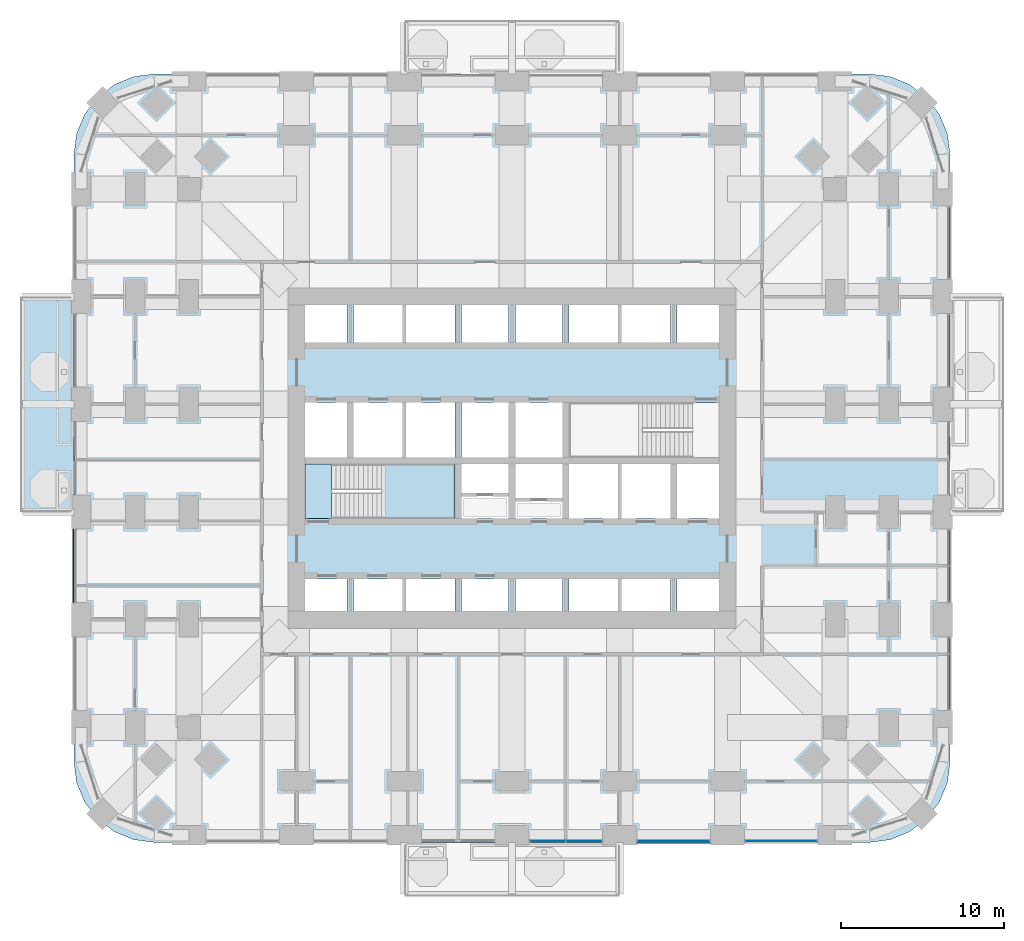
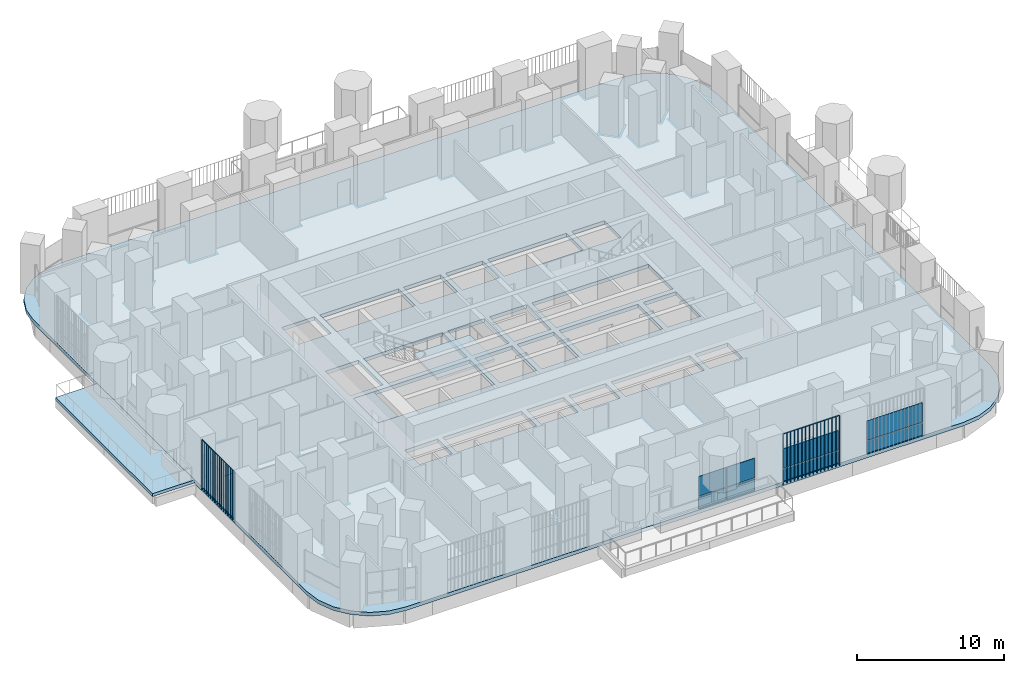
# One storey, part 12 of 26: 10 plates, 4 slabs, 4 elements without a shape of their own.
"""IFC4 building model written with IfcOpenShell, lengths in metres."""

from ifc_helpers import new_model, si_unit, direction, frame, origin, origin_2d, place, context, subcontext, project, spatial, polyline, rectangle, outline, extrude, material, layer, layer_set, type_object, element, aggregate, save


model = new_model("IFC4")

# Units and contexts
model_context = context("Model", 3, precision=1e-05, world=origin(), true_north=direction((0.0, 1.0)))
body_context = subcontext(model_context, "Body", "Model", "MODEL_VIEW")
ifc_project = project(units=[si_unit("LENGTHUNIT", "METRE"), si_unit("AREAUNIT", "SQUARE_METRE"), si_unit("VOLUMEUNIT", "CUBIC_METRE"), si_unit("PLANEANGLEUNIT", "RADIAN"), si_unit("MASSUNIT", "GRAM", prefix="KILO")], contexts=[model_context])

# Site, building, storey
site_placement = place(None, origin())
site = spatial("IfcSite", under=ifc_project, at=site_placement, CompositionType="ELEMENT")
building_placement = place(site_placement, origin())
building = spatial("IfcBuilding", under=site, at=building_placement, Name="Cobogo Forest Laboratory Tower", CompositionType="ELEMENT")
storey_placement = place(building_placement, frame((0.0, 0.0, 59.10009765625)))
storey = spatial("IfcBuildingStorey", under=building, at=storey_placement, Name="L13", CompositionType="ELEMENT", Elevation=59.10009765625)

# Slabs
ifc_material_1 = material(Name="Concrete HA-40 (C40/50)", Category="concrete")
ifc_layer_1 = layer(ifc_material_1, 0.25)
ifc_layer_set_1 = layer_set([ifc_layer_1], Name="Balcony slab 250")
slab_type_1 = type_object("IfcSlabType", Name="Balcony slab 250", PredefinedType="FLOOR", material=ifc_layer_set_1)
slab_1_placement = place(storey_placement, frame((0.0, 0.0, -0.25)))
element("IfcSlab", 1, at=slab_1_placement, inside=storey, type_object=slab_type_1, Name="Balcony BAL-W1 L13", PredefinedType="FLOOR", context=body_context, shape_type="SweptSolid", body=[
    extrude(outline(polyline([(-3.75, 19.800048828125), (-0.449951171875, 19.800048828125), (-0.449951171875, 33.0), (-3.75, 33.0), (-3.75, 19.800048828125)])), origin(), (0.0, 0.0, 1.0), 0.25),
])
ifc_layer_2 = layer(ifc_material_1, 0.300048828125)
ifc_layer_set_2 = layer_set([ifc_layer_2], Name="Floor slab 300")
slab_type_2 = type_object("IfcSlabType", Name="Floor slab 300", PredefinedType="FLOOR", material=ifc_layer_set_2)
slab_2_placement = place(storey_placement, frame((0.0, 0.0, -0.300048828125)))
element("IfcSlab", 2, at=slab_2_placement, inside=storey, type_object=slab_type_2, Name="L13 floor slab", PredefinedType="FLOOR", context=body_context, shape_type="SweptSolid", body=[
    extrude(outline(polyline([(48.300048828125, -0.449951171875), (49.5810546875, -0.28125), (50.77490234375, 0.213134765625), (51.80029296875, 0.999755859375), (52.5869140625, 2.02490234375), (53.081298828125, 3.21875), (53.25, 4.5), (53.25, 41.699951171875), (53.081298828125, 42.981201171875), (52.5869140625, 44.175048828125), (51.80029296875, 45.2001953125), (50.77490234375, 45.98681640625), (49.5810546875, 46.4814453125), (48.300048828125, 46.64990234375), (4.5, 46.64990234375), (3.21875, 46.4814453125), (2.02490234375, 45.98681640625), (0.999755859375, 45.2001953125), (0.213134765625, 44.175048828125), (-0.28125, 42.981201171875), (-0.449951171875, 41.699951171875), (-0.449951171875, 4.5), (-0.28125, 3.21875), (0.213134765625, 2.02490234375), (0.999755859375, 0.999755859375), (2.02490234375, 0.213134765625), (3.21875, -0.28125), (4.5, -0.449951171875), (48.300048828125, -0.449951171875)]), holes=[polyline([(16.300048828125, 13.72509765625), (13.72509765625, 13.72509765625), (13.72509765625, 15.699951171875), (16.300048828125, 15.699951171875), (16.300048828125, 13.72509765625)]), polyline([(22.89990234375, 15.699951171875), (22.89990234375, 13.72509765625), (16.699951171875, 13.72509765625), (16.699951171875, 15.699951171875), (22.89990234375, 15.699951171875)]), polyline([(23.300048828125, 13.72509765625), (23.300048828125, 15.699951171875), (26.199951171875, 15.699951171875), (26.199951171875, 13.72509765625), (23.300048828125, 13.72509765625)]), polyline([(29.5, 13.72509765625), (26.60009765625, 13.72509765625), (26.60009765625, 15.699951171875), (29.5, 15.699951171875), (29.5, 13.72509765625)]), polyline([(36.10009765625, 15.699951171875), (36.10009765625, 13.72509765625), (29.89990234375, 13.72509765625), (29.89990234375, 15.699951171875), (36.10009765625, 15.699951171875)]), polyline([(36.5, 13.72509765625), (36.5, 15.699951171875), (39.074951171875, 15.699951171875), (39.074951171875, 13.72509765625), (36.5, 13.72509765625)]), polyline([(13.72509765625, 19.39990234375), (13.72509765625, 22.75), (22.89990234375, 22.75), (22.89990234375, 19.39990234375), (13.72509765625, 19.39990234375)]), polyline([(23.300048828125, 19.39990234375), (23.300048828125, 22.75), (26.199951171875, 22.75), (26.199951171875, 19.39990234375), (23.300048828125, 19.39990234375)]), polyline([(26.60009765625, 19.39990234375), (26.60009765625, 22.75), (29.5, 22.75), (29.5, 19.39990234375), (26.60009765625, 19.39990234375)]), polyline([(36.10009765625, 22.75), (36.10009765625, 19.39990234375), (29.89990234375, 19.39990234375), (29.89990234375, 22.75), (36.10009765625, 22.75)]), polyline([(39.074951171875, 19.39990234375), (36.5, 19.39990234375), (36.5, 22.75), (39.074951171875, 22.75), (39.074951171875, 19.39990234375)]), polyline([(13.72509765625, 23.14990234375), (13.72509765625, 26.5), (16.300048828125, 26.5), (16.300048828125, 23.14990234375), (13.72509765625, 23.14990234375)]), polyline([(22.89990234375, 26.5), (22.89990234375, 23.14990234375), (16.699951171875, 23.14990234375), (16.699951171875, 26.5), (22.89990234375, 26.5)]), polyline([(23.300048828125, 23.14990234375), (23.300048828125, 26.5), (26.199951171875, 26.5), (26.199951171875, 23.14990234375), (23.300048828125, 23.14990234375)]), polyline([(26.60009765625, 23.14990234375), (26.60009765625, 26.5), (29.5, 26.5), (29.5, 23.14990234375), (26.60009765625, 23.14990234375)]), polyline([(29.89990234375, 23.14990234375), (29.89990234375, 26.5), (39.074951171875, 26.5), (39.074951171875, 23.14990234375), (29.89990234375, 23.14990234375)]), polyline([(13.72509765625, 30.199951171875), (13.72509765625, 32.47509765625), (16.300048828125, 32.47509765625), (16.300048828125, 30.199951171875), (13.72509765625, 30.199951171875)]), polyline([(22.89990234375, 32.47509765625), (22.89990234375, 30.199951171875), (16.699951171875, 30.199951171875), (16.699951171875, 32.47509765625), (22.89990234375, 32.47509765625)]), polyline([(23.300048828125, 30.199951171875), (23.300048828125, 32.47509765625), (26.199951171875, 32.47509765625), (26.199951171875, 30.199951171875), (23.300048828125, 30.199951171875)]), polyline([(26.60009765625, 30.199951171875), (26.60009765625, 32.47509765625), (29.5, 32.47509765625), (29.5, 30.199951171875), (26.60009765625, 30.199951171875)]), polyline([(36.10009765625, 32.47509765625), (36.10009765625, 30.199951171875), (29.89990234375, 30.199951171875), (29.89990234375, 32.47509765625), (36.10009765625, 32.47509765625)]), polyline([(36.5, 30.199951171875), (36.5, 32.47509765625), (39.074951171875, 32.47509765625), (39.074951171875, 30.199951171875), (36.5, 30.199951171875)])]), origin(), (0.0, 0.0, 1.0), 0.300048828125),
])

# Curtain wall, plates
ifc_material_2 = material(Name="Aluminium curtain wall", Category="aluminium")
curtain_wall_type = type_object("IfcCurtainWallType", Name="CW-1 unitised curtain wall, clear glazing, laboratory floors zones A and B", PredefinedType="USERDEFINED", material=ifc_material_2)
curtain_wall_1_placement = place(storey_placement, origin())
curtain_wall_1 = element("IfcCurtainWall", 3, at=curtain_wall_1_placement, inside=storey, type_object=curtain_wall_type, Name="Curtain wall 04 L13", ObjectType="UNITISED CURTAIN WALL", PredefinedType="USERDEFINED")
ifc_material_3 = material(Name="Clear insulated glass", Category="glass")
ifc_layer_3 = layer(ifc_material_3, 0.028076171875)
ifc_layer_set_3 = layer_set([ifc_layer_3], Name="GP-1 clear insulated glass unit 28")
plate_type_1 = type_object("IfcPlateType", Name="GP-1 clear insulated glass unit 28", PredefinedType="CURTAIN_PANEL", material=ifc_layer_set_3)
plate_1_placement = place(storey_placement, frame((28.590087890625, -0.35009765625, 0.0), z_axis=(0.0, 0.0, 1.0), x_axis=(1.0, 0.0, 0.0)))
plate_1 = element("IfcPlate", 4, at=plate_1_placement, type_object=plate_type_1, Name="CW-1 panel 1.1", PredefinedType="CURTAIN_PANEL", context=body_context, shape_type="SweptSolid", body=[
    extrude(rectangle(XDim=2.159912109375, YDim=0.028076171875, at=origin_2d()), origin(), (0.0, 0.0, 1.0), 1.02001953125),
])
plate_2_placement = place(storey_placement, frame((28.590087890625, -0.35009765625, 1.079833984375), z_axis=(0.0, 0.0, 1.0), x_axis=(1.0, 0.0, 0.0)))
plate_2 = element("IfcPlate", 5, at=plate_2_placement, type_object=plate_type_1, Name="CW-1 panel 1.2", PredefinedType="CURTAIN_PANEL", context=body_context, shape_type="SweptSolid", body=[
    extrude(rectangle(XDim=2.159912109375, YDim=0.028076171875, at=origin_2d()), origin(), (0.0, 0.0, 1.0), 1.6201171875),
])
plate_3_placement = place(storey_placement, frame((30.81005859375, -0.35009765625, 0.0), z_axis=(0.0, 0.0, 1.0), x_axis=(1.0, 0.0, 0.0)))
plate_3 = element("IfcPlate", 6, at=plate_3_placement, type_object=plate_type_1, Name="CW-1 panel 2.1", PredefinedType="CURTAIN_PANEL", context=body_context, shape_type="SweptSolid", body=[
    extrude(rectangle(XDim=2.159912109375, YDim=0.028076171875, at=origin_2d()), origin(), (0.0, 0.0, 1.0), 1.02001953125),
])
plate_4_placement = place(storey_placement, frame((30.81005859375, -0.35009765625, 1.079833984375), z_axis=(0.0, 0.0, 1.0), x_axis=(1.0, 0.0, 0.0)))
plate_4 = element("IfcPlate", 7, at=plate_4_placement, type_object=plate_type_1, Name="CW-1 panel 2.2", PredefinedType="CURTAIN_PANEL", context=body_context, shape_type="SweptSolid", body=[
    extrude(rectangle(XDim=2.159912109375, YDim=0.028076171875, at=origin_2d()), origin(), (0.0, 0.0, 1.0), 1.6201171875),
])
aggregate(curtain_wall_1, [plate_1, plate_2, plate_3, plate_4])

curtain_wall_2_placement = place(storey_placement, origin())
curtain_wall_2 = element("IfcCurtainWall", 8, at=curtain_wall_2_placement, inside=storey, type_object=curtain_wall_type, Name="Curtain wall 05 L13", ObjectType="UNITISED CURTAIN WALL", PredefinedType="USERDEFINED")
plate_5_placement = place(storey_placement, frame((36.300048828125, -0.35009765625, 0.0), z_axis=(0.0, 0.0, 1.0), x_axis=(1.0, 0.0, 0.0)))
plate_5 = element("IfcPlate", 9, at=plate_5_placement, type_object=plate_type_1, Name="CW-1 panel 1.1", PredefinedType="CURTAIN_PANEL", context=body_context, shape_type="SweptSolid", body=[
    extrude(rectangle(XDim=4.3798828125, YDim=0.028076171875, at=origin_2d()), origin(), (0.0, 0.0, 1.0), 1.02001953125),
])
plate_6_placement = place(storey_placement, frame((36.300048828125, -0.35009765625, 1.079833984375), z_axis=(0.0, 0.0, 1.0), x_axis=(1.0, 0.0, 0.0)))
plate_6 = element("IfcPlate", 10, at=plate_6_placement, type_object=plate_type_1, Name="CW-1 panel 1.2", PredefinedType="CURTAIN_PANEL", context=body_context, shape_type="SweptSolid", body=[
    extrude(rectangle(XDim=4.3798828125, YDim=0.028076171875, at=origin_2d()), origin(), (0.0, 0.0, 1.0), 1.6201171875),
])
aggregate(curtain_wall_2, [plate_5, plate_6])

curtain_wall_3_placement = place(storey_placement, origin())
curtain_wall_3 = element("IfcCurtainWall", 11, at=curtain_wall_3_placement, inside=storey, type_object=curtain_wall_type, Name="Curtain wall 06 L13", ObjectType="UNITISED CURTAIN WALL", PredefinedType="USERDEFINED")
plate_7_placement = place(storey_placement, frame((42.89990234375, -0.35009765625, 0.0), z_axis=(0.0, 0.0, 1.0), x_axis=(1.0, 0.0, 0.0)))
plate_7 = element("IfcPlate", 12, at=plate_7_placement, type_object=plate_type_1, Name="CW-1 panel 1.1", PredefinedType="CURTAIN_PANEL", context=body_context, shape_type="SweptSolid", body=[
    extrude(rectangle(XDim=4.3798828125, YDim=0.028076171875, at=origin_2d()), origin(), (0.0, 0.0, 1.0), 1.02001953125),
])
plate_8_placement = place(storey_placement, frame((42.89990234375, -0.35009765625, 1.079833984375), z_axis=(0.0, 0.0, 1.0), x_axis=(1.0, 0.0, 0.0)))
plate_8 = element("IfcPlate", 13, at=plate_8_placement, type_object=plate_type_1, Name="CW-1 panel 1.2", PredefinedType="CURTAIN_PANEL", context=body_context, shape_type="SweptSolid", body=[
    extrude(rectangle(XDim=4.3798828125, YDim=0.028076171875, at=origin_2d()), origin(), (0.0, 0.0, 1.0), 1.6201171875),
])
aggregate(curtain_wall_3, [plate_7, plate_8])

# Stair, slabs
ifc_material_4 = material(Name="Precast concrete HA-40 (C40/50)", Category="concrete")
stair_type = type_object("IfcStairType", Name="ST24 exit stair 24 risers", PredefinedType="HALF_TURN_STAIR", material=ifc_material_4)
stair_placement = place(storey_placement, origin())
stair = element("IfcStair", 14, at=stair_placement, inside=storey, type_object=stair_type, Name="Stair 1 L13 to L14", PredefinedType="HALF_TURN_STAIR")
ifc_layer_4 = layer(ifc_material_1, 0.199951171875)
ifc_layer_set_4 = layer_set([ifc_layer_4], Name="SL stair landing 200")
slab_type_3 = type_object("IfcSlabType", Name="SL stair landing 200", PredefinedType="LANDING", material=ifc_layer_set_4)
slab_3_placement = place(storey_placement, frame((0.0, 0.0, -0.2001953125)))
slab_3 = element("IfcSlab", 15, at=slab_3_placement, type_object=slab_type_3, Name="ST1 landing 1", PredefinedType="LANDING", context=body_context, shape_type="SweptSolid", body=[
    extrude(outline(polyline([(13.72509765625, 19.39990234375), (15.326904296875, 19.39990234375), (15.326904296875, 22.75), (13.72509765625, 22.75), (13.72509765625, 19.39990234375)])), origin(), (0.0, 0.0, 1.0), 0.2001953125),
])
slab_4_placement = place(storey_placement, frame((0.0, 0.0, 1.89990234375)))
slab_4 = element("IfcSlab", 16, at=slab_4_placement, type_object=slab_type_3, Name="ST1 landing 2", PredefinedType="LANDING", context=body_context, shape_type="SweptSolid", body=[
    extrude(outline(polyline([(18.403076171875, 19.39990234375), (22.89990234375, 19.39990234375), (22.89990234375, 22.75), (18.403076171875, 22.75), (18.403076171875, 19.39990234375)])), origin(), (0.0, 0.0, 1.0), 0.199951171875),
])
aggregate(stair, [slab_3, slab_4])

# Plates
ifc_material_5 = material(Name="Terracotta", Category="masonry")
plate_type_2 = type_object("IfcPlateType", Name="TB1 terracotta baguette screen", PredefinedType="USERDEFINED", material=ifc_material_5)
plate_9_placement = place(storey_placement, frame((34.081298828125, -0.477783203125, -0.150146484375)))
element("IfcPlate", 17, at=plate_9_placement, inside=storey, type_object=plate_type_2, Name="Baguette screen S5 L13", ObjectType="BAGUETTE SCREEN", PredefinedType="USERDEFINED", context=body_context, shape_type="SweptSolid", body=[
    extrude(outline(polyline([(0.02880859375, 0.011962890625), (0.011962890625, 0.02880859375), (-0.011962890625, 0.02880859375), (-0.02880859375, 0.011962890625), (-0.02880859375, -0.011962890625), (-0.011962890625, -0.02880859375), (0.011962890625, -0.02880859375), (0.02880859375, -0.011962890625), (0.02880859375, 0.011962890625)])), frame((0.0, 0.0, 4.168701171875), z_axis=(1.0, 0.0, 0.0), x_axis=(0.0, 1.0, 0.0)), (0.0, 0.0, 1.0), 4.4375),
    extrude(outline(polyline([(0.02880859375, 0.011962890625), (0.011962890625, 0.02880859375), (-0.011962890625, 0.02880859375), (-0.02880859375, 0.011962890625), (-0.02880859375, -0.011962890625), (-0.011962890625, -0.02880859375), (0.011962890625, -0.02880859375), (0.02880859375, -0.011962890625), (0.02880859375, 0.011962890625)])), origin(), (0.0, 0.0, 1.0), 4.137451171875),
    extrude(outline(polyline([(0.02880859375, 0.011962890625), (0.011962890625, 0.02880859375), (-0.011962890625, 0.02880859375), (-0.02880859375, 0.011962890625), (-0.02880859375, -0.011962890625), (-0.011962890625, -0.02880859375), (0.011962890625, -0.02880859375), (0.02880859375, -0.011962890625), (0.02880859375, 0.011962890625)])), frame((0.2958984375, 0.0, 0.0)), (0.0, 0.0, 1.0), 4.137451171875),
    extrude(outline(polyline([(0.02880859375, 0.011962890625), (0.011962890625, 0.02880859375), (-0.011962890625, 0.02880859375), (-0.02880859375, 0.011962890625), (-0.02880859375, -0.011962890625), (-0.011962890625, -0.02880859375), (0.011962890625, -0.02880859375), (0.02880859375, -0.011962890625), (0.02880859375, 0.011962890625)])), frame((0.591552734375, 0.0, 0.0)), (0.0, 0.0, 1.0), 4.137451171875),
    extrude(outline(polyline([(0.02880859375, 0.011962890625), (0.011962890625, 0.02880859375), (-0.011962890625, 0.02880859375), (-0.02880859375, 0.011962890625), (-0.02880859375, -0.011962890625), (-0.011962890625, -0.02880859375), (0.011962890625, -0.02880859375), (0.02880859375, -0.011962890625), (0.02880859375, 0.011962890625)])), frame((0.887451171875, 0.0, 0.0)), (0.0, 0.0, 1.0), 4.137451171875),
    extrude(outline(polyline([(0.02880859375, 0.011962890625), (0.011962890625, 0.02880859375), (-0.011962890625, 0.02880859375), (-0.02880859375, 0.011962890625), (-0.02880859375, -0.011962890625), (-0.011962890625, -0.02880859375), (0.011962890625, -0.02880859375), (0.02880859375, -0.011962890625), (0.02880859375, 0.011962890625)])), frame((1.183349609375, 0.0, 0.0)), (0.0, 0.0, 1.0), 4.137451171875),
    extrude(outline(polyline([(0.02880859375, 0.011962890625), (0.011962890625, 0.02880859375), (-0.011962890625, 0.02880859375), (-0.02880859375, 0.011962890625), (-0.02880859375, -0.011962890625), (-0.011962890625, -0.02880859375), (0.011962890625, -0.02880859375), (0.02880859375, -0.011962890625), (0.02880859375, 0.011962890625)])), frame((1.479248046875, 0.0, 0.0)), (0.0, 0.0, 1.0), 4.137451171875),
    extrude(outline(polyline([(0.02880859375, 0.011962890625), (0.011962890625, 0.02880859375), (-0.011962890625, 0.02880859375), (-0.02880859375, 0.011962890625), (-0.02880859375, -0.011962890625), (-0.011962890625, -0.02880859375), (0.011962890625, -0.02880859375), (0.02880859375, -0.011962890625), (0.02880859375, 0.011962890625)])), frame((1.77490234375, 0.0, 0.0)), (0.0, 0.0, 1.0), 4.137451171875),
    extrude(outline(polyline([(0.02880859375, 0.011962890625), (0.011962890625, 0.02880859375), (-0.011962890625, 0.02880859375), (-0.02880859375, 0.011962890625), (-0.02880859375, -0.011962890625), (-0.011962890625, -0.02880859375), (0.011962890625, -0.02880859375), (0.02880859375, -0.011962890625), (0.02880859375, 0.011962890625)])), frame((2.07080078125, 0.0, 0.0)), (0.0, 0.0, 1.0), 4.137451171875),
    extrude(outline(polyline([(0.02880859375, 0.011962890625), (0.011962890625, 0.02880859375), (-0.011962890625, 0.02880859375), (-0.02880859375, 0.011962890625), (-0.02880859375, -0.011962890625), (-0.011962890625, -0.02880859375), (0.011962890625, -0.02880859375), (0.02880859375, -0.011962890625), (0.02880859375, 0.011962890625)])), frame((2.36669921875, 0.0, 0.0)), (0.0, 0.0, 1.0), 4.137451171875),
    extrude(outline(polyline([(0.02880859375, 0.011962890625), (0.011962890625, 0.02880859375), (-0.011962890625, 0.02880859375), (-0.02880859375, 0.011962890625), (-0.02880859375, -0.011962890625), (-0.011962890625, -0.02880859375), (0.011962890625, -0.02880859375), (0.02880859375, -0.011962890625), (0.02880859375, 0.011962890625)])), frame((2.66259765625, 0.0, 0.0)), (0.0, 0.0, 1.0), 4.137451171875),
    extrude(outline(polyline([(0.02880859375, 0.011962890625), (0.011962890625, 0.02880859375), (-0.011962890625, 0.02880859375), (-0.02880859375, 0.011962890625), (-0.02880859375, -0.011962890625), (-0.011962890625, -0.02880859375), (0.011962890625, -0.02880859375), (0.02880859375, -0.011962890625), (0.02880859375, 0.011962890625)])), frame((2.958251953125, 0.0, 0.0)), (0.0, 0.0, 1.0), 4.137451171875),
    extrude(outline(polyline([(0.02880859375, 0.011962890625), (0.011962890625, 0.02880859375), (-0.011962890625, 0.02880859375), (-0.02880859375, 0.011962890625), (-0.02880859375, -0.011962890625), (-0.011962890625, -0.02880859375), (0.011962890625, -0.02880859375), (0.02880859375, -0.011962890625), (0.02880859375, 0.011962890625)])), frame((3.254150390625, 0.0, 0.0)), (0.0, 0.0, 1.0), 4.137451171875),
    extrude(outline(polyline([(0.02880859375, 0.011962890625), (0.011962890625, 0.02880859375), (-0.011962890625, 0.02880859375), (-0.02880859375, 0.011962890625), (-0.02880859375, -0.011962890625), (-0.011962890625, -0.02880859375), (0.011962890625, -0.02880859375), (0.02880859375, -0.011962890625), (0.02880859375, 0.011962890625)])), frame((3.550048828125, 0.0, 0.0)), (0.0, 0.0, 1.0), 4.137451171875),
    extrude(outline(polyline([(0.02880859375, 0.011962890625), (0.011962890625, 0.02880859375), (-0.011962890625, 0.02880859375), (-0.02880859375, 0.011962890625), (-0.02880859375, -0.011962890625), (-0.011962890625, -0.02880859375), (0.011962890625, -0.02880859375), (0.02880859375, -0.011962890625), (0.02880859375, 0.011962890625)])), frame((3.845947265625, 0.0, 0.0)), (0.0, 0.0, 1.0), 4.137451171875),
    extrude(outline(polyline([(0.02880859375, 0.011962890625), (0.011962890625, 0.02880859375), (-0.011962890625, 0.02880859375), (-0.02880859375, 0.011962890625), (-0.02880859375, -0.011962890625), (-0.011962890625, -0.02880859375), (0.011962890625, -0.02880859375), (0.02880859375, -0.011962890625), (0.02880859375, 0.011962890625)])), frame((4.1416015625, 0.0, 0.0)), (0.0, 0.0, 1.0), 4.137451171875),
    extrude(outline(polyline([(0.02880859375, 0.011962890625), (0.011962890625, 0.02880859375), (-0.011962890625, 0.02880859375), (-0.02880859375, 0.011962890625), (-0.02880859375, -0.011962890625), (-0.011962890625, -0.02880859375), (0.011962890625, -0.02880859375), (0.02880859375, -0.011962890625), (0.02880859375, 0.011962890625)])), frame((4.4375, 0.0, 0.0)), (0.0, 0.0, 1.0), 4.137451171875),
])
plate_10_placement = place(storey_placement, frame((-0.477783203125, 14.28125, -0.150146484375)))
element("IfcPlate", 18, at=plate_10_placement, inside=storey, type_object=plate_type_2, Name="Baguette screen W2 L13", ObjectType="BAGUETTE SCREEN", PredefinedType="USERDEFINED", context=body_context, shape_type="SweptSolid", body=[
    extrude(outline(polyline([(0.02880859375, 0.011962890625), (0.011962890625, 0.02880859375), (-0.011962890625, 0.02880859375), (-0.02880859375, 0.011962890625), (-0.02880859375, -0.011962890625), (-0.011962890625, -0.02880859375), (0.011962890625, -0.02880859375), (0.02880859375, -0.011962890625), (0.02880859375, 0.011962890625)])), frame((0.0, 0.0, 4.168701171875), z_axis=(0.0, 1.0, 0.0), x_axis=(-1.0, 0.0, 0.0)), (0.0, 0.0, 1.0), 4.4375),
    extrude(outline(polyline([(0.02880859375, 0.011962890625), (0.011962890625, 0.02880859375), (-0.011962890625, 0.02880859375), (-0.02880859375, 0.011962890625), (-0.02880859375, -0.011962890625), (-0.011962890625, -0.02880859375), (0.011962890625, -0.02880859375), (0.02880859375, -0.011962890625), (0.02880859375, 0.011962890625)])), origin(), (0.0, 0.0, 1.0), 4.137451171875),
    extrude(outline(polyline([(0.02880859375, 0.011962890625), (0.011962890625, 0.02880859375), (-0.011962890625, 0.02880859375), (-0.02880859375, 0.011962890625), (-0.02880859375, -0.011962890625), (-0.011962890625, -0.02880859375), (0.011962890625, -0.02880859375), (0.02880859375, -0.011962890625), (0.02880859375, 0.011962890625)])), frame((0.0, 0.2958984375, 0.0)), (0.0, 0.0, 1.0), 4.137451171875),
    extrude(outline(polyline([(0.02880859375, 0.011962890625), (0.011962890625, 0.02880859375), (-0.011962890625, 0.02880859375), (-0.02880859375, 0.011962890625), (-0.02880859375, -0.011962890625), (-0.011962890625, -0.02880859375), (0.011962890625, -0.02880859375), (0.02880859375, -0.011962890625), (0.02880859375, 0.011962890625)])), frame((0.0, 0.591552734375, 0.0)), (0.0, 0.0, 1.0), 4.137451171875),
    extrude(outline(polyline([(0.02880859375, 0.011962890625), (0.011962890625, 0.02880859375), (-0.011962890625, 0.02880859375), (-0.02880859375, 0.011962890625), (-0.02880859375, -0.011962890625), (-0.011962890625, -0.02880859375), (0.011962890625, -0.02880859375), (0.02880859375, -0.011962890625), (0.02880859375, 0.011962890625)])), frame((0.0, 0.887451171875, 0.0)), (0.0, 0.0, 1.0), 4.137451171875),
    extrude(outline(polyline([(0.02880859375, 0.011962890625), (0.011962890625, 0.02880859375), (-0.011962890625, 0.02880859375), (-0.02880859375, 0.011962890625), (-0.02880859375, -0.011962890625), (-0.011962890625, -0.02880859375), (0.011962890625, -0.02880859375), (0.02880859375, -0.011962890625), (0.02880859375, 0.011962890625)])), frame((0.0, 1.183349609375, 0.0)), (0.0, 0.0, 1.0), 4.137451171875),
    extrude(outline(polyline([(0.02880859375, 0.011962890625), (0.011962890625, 0.02880859375), (-0.011962890625, 0.02880859375), (-0.02880859375, 0.011962890625), (-0.02880859375, -0.011962890625), (-0.011962890625, -0.02880859375), (0.011962890625, -0.02880859375), (0.02880859375, -0.011962890625), (0.02880859375, 0.011962890625)])), frame((0.0, 1.479248046875, 0.0)), (0.0, 0.0, 1.0), 4.137451171875),
    extrude(outline(polyline([(0.02880859375, 0.011962890625), (0.011962890625, 0.02880859375), (-0.011962890625, 0.02880859375), (-0.02880859375, 0.011962890625), (-0.02880859375, -0.011962890625), (-0.011962890625, -0.02880859375), (0.011962890625, -0.02880859375), (0.02880859375, -0.011962890625), (0.02880859375, 0.011962890625)])), frame((0.0, 1.77490234375, 0.0)), (0.0, 0.0, 1.0), 4.137451171875),
    extrude(outline(polyline([(0.02880859375, 0.011962890625), (0.011962890625, 0.02880859375), (-0.011962890625, 0.02880859375), (-0.02880859375, 0.011962890625), (-0.02880859375, -0.011962890625), (-0.011962890625, -0.02880859375), (0.011962890625, -0.02880859375), (0.02880859375, -0.011962890625), (0.02880859375, 0.011962890625)])), frame((0.0, 2.07080078125, 0.0)), (0.0, 0.0, 1.0), 4.137451171875),
    extrude(outline(polyline([(0.02880859375, 0.011962890625), (0.011962890625, 0.02880859375), (-0.011962890625, 0.02880859375), (-0.02880859375, 0.011962890625), (-0.02880859375, -0.011962890625), (-0.011962890625, -0.02880859375), (0.011962890625, -0.02880859375), (0.02880859375, -0.011962890625), (0.02880859375, 0.011962890625)])), frame((0.0, 2.36669921875, 0.0)), (0.0, 0.0, 1.0), 4.137451171875),
    extrude(outline(polyline([(0.02880859375, 0.011962890625), (0.011962890625, 0.02880859375), (-0.011962890625, 0.02880859375), (-0.02880859375, 0.011962890625), (-0.02880859375, -0.011962890625), (-0.011962890625, -0.02880859375), (0.011962890625, -0.02880859375), (0.02880859375, -0.011962890625), (0.02880859375, 0.011962890625)])), frame((0.0, 2.66259765625, 0.0)), (0.0, 0.0, 1.0), 4.137451171875),
    extrude(outline(polyline([(0.02880859375, 0.011962890625), (0.011962890625, 0.02880859375), (-0.011962890625, 0.02880859375), (-0.02880859375, 0.011962890625), (-0.02880859375, -0.011962890625), (-0.011962890625, -0.02880859375), (0.011962890625, -0.02880859375), (0.02880859375, -0.011962890625), (0.02880859375, 0.011962890625)])), frame((0.0, 2.958251953125, 0.0)), (0.0, 0.0, 1.0), 4.137451171875),
    extrude(outline(polyline([(0.02880859375, 0.011962890625), (0.011962890625, 0.02880859375), (-0.011962890625, 0.02880859375), (-0.02880859375, 0.011962890625), (-0.02880859375, -0.011962890625), (-0.011962890625, -0.02880859375), (0.011962890625, -0.02880859375), (0.02880859375, -0.011962890625), (0.02880859375, 0.011962890625)])), frame((0.0, 3.254150390625, 0.0)), (0.0, 0.0, 1.0), 4.137451171875),
    extrude(outline(polyline([(0.02880859375, 0.011962890625), (0.011962890625, 0.02880859375), (-0.011962890625, 0.02880859375), (-0.02880859375, 0.011962890625), (-0.02880859375, -0.011962890625), (-0.011962890625, -0.02880859375), (0.011962890625, -0.02880859375), (0.02880859375, -0.011962890625), (0.02880859375, 0.011962890625)])), frame((0.0, 3.550048828125, 0.0)), (0.0, 0.0, 1.0), 4.137451171875),
    extrude(outline(polyline([(0.02880859375, 0.011962890625), (0.011962890625, 0.02880859375), (-0.011962890625, 0.02880859375), (-0.02880859375, 0.011962890625), (-0.02880859375, -0.011962890625), (-0.011962890625, -0.02880859375), (0.011962890625, -0.02880859375), (0.02880859375, -0.011962890625), (0.02880859375, 0.011962890625)])), frame((0.0, 3.845947265625, 0.0)), (0.0, 0.0, 1.0), 4.137451171875),
    extrude(outline(polyline([(0.02880859375, 0.011962890625), (0.011962890625, 0.02880859375), (-0.011962890625, 0.02880859375), (-0.02880859375, 0.011962890625), (-0.02880859375, -0.011962890625), (-0.011962890625, -0.02880859375), (0.011962890625, -0.02880859375), (0.02880859375, -0.011962890625), (0.02880859375, 0.011962890625)])), frame((0.0, 4.1416015625, 0.0)), (0.0, 0.0, 1.0), 4.137451171875),
    extrude(outline(polyline([(0.02880859375, 0.011962890625), (0.011962890625, 0.02880859375), (-0.011962890625, 0.02880859375), (-0.02880859375, 0.011962890625), (-0.02880859375, -0.011962890625), (-0.011962890625, -0.02880859375), (0.011962890625, -0.02880859375), (0.02880859375, -0.011962890625), (0.02880859375, 0.011962890625)])), frame((0.0, 4.4375, 0.0)), (0.0, 0.0, 1.0), 4.137451171875),
])

save(model, "model.ifc")
